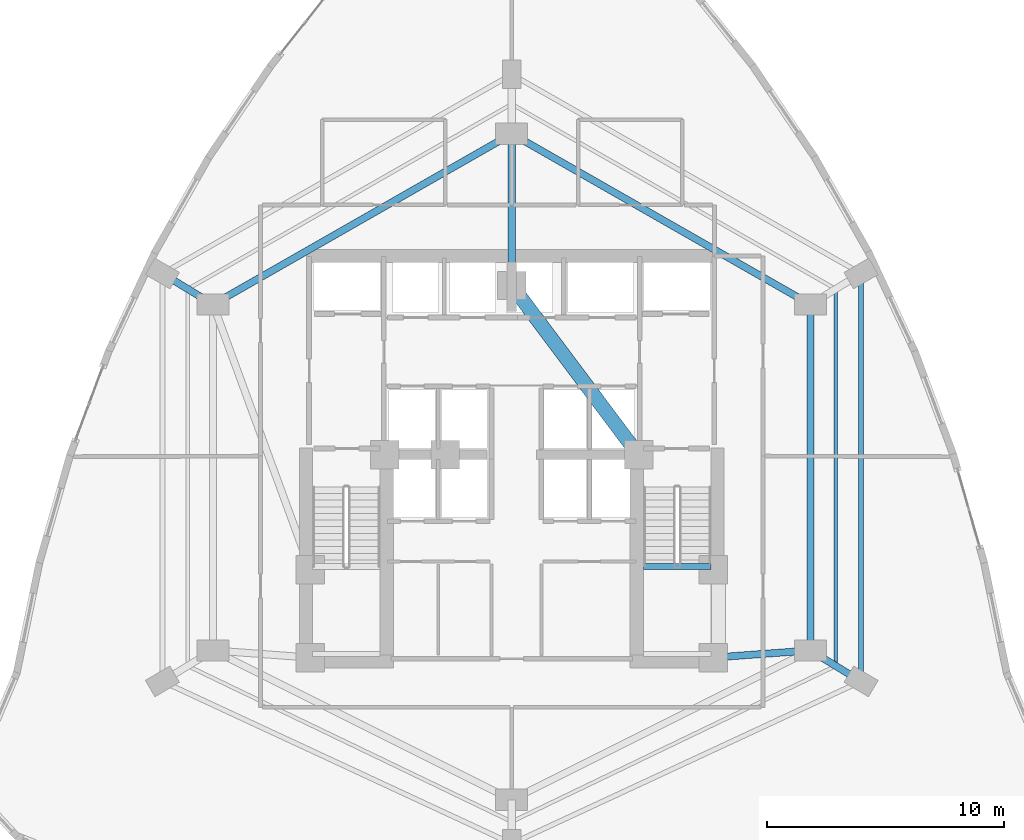
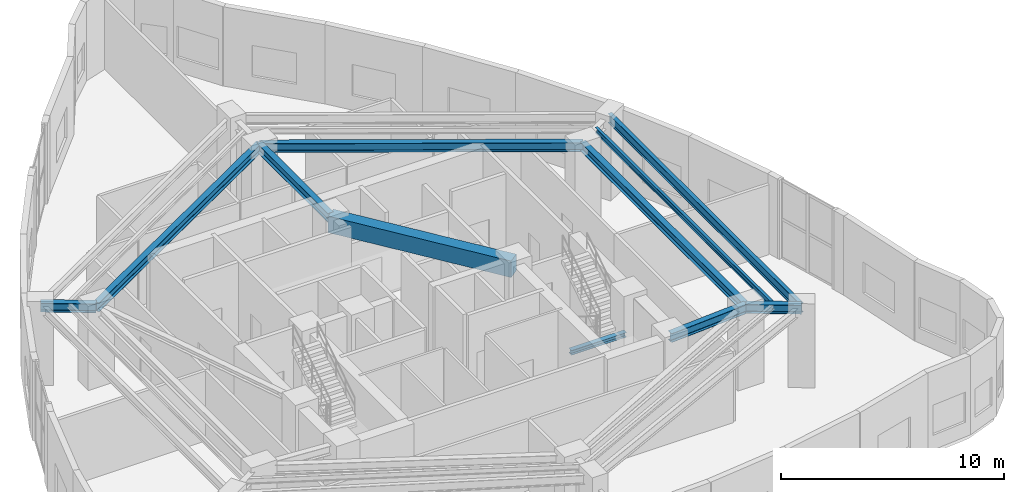
# One storey, part 8 of 17: 11 beams.
"""IFC4 building model written with IfcOpenShell, lengths in metres."""

from ifc_helpers import new_model, si_unit, direction, frame, origin, origin_2d, place, context, subcontext, project, spatial, rectangle, i_section, extrude, material, material_profile, profile_set, type_object, element, save


model = new_model("IFC4")

# Units and contexts
model_context = context("Model", 3, precision=1e-05, world=origin(), true_north=direction((0.0, 1.0)))
body_context = subcontext(model_context, "Body", "Model", "MODEL_VIEW")
ifc_project = project(units=[si_unit("LENGTHUNIT", "METRE"), si_unit("AREAUNIT", "SQUARE_METRE"), si_unit("VOLUMEUNIT", "CUBIC_METRE"), si_unit("PLANEANGLEUNIT", "RADIAN"), si_unit("MASSUNIT", "GRAM", prefix="KILO")], contexts=[model_context])

# Site, building, storey
site_placement = place(None, origin())
site = spatial("IfcSite", under=ifc_project, at=site_placement, CompositionType="ELEMENT")
building_placement = place(site_placement, origin())
building = spatial("IfcBuilding", under=site, at=building_placement, Name="Miruveldt Soraemaru", CompositionType="ELEMENT")
storey_placement = place(building_placement, frame((0.0, 0.0, 95.800048828125)))
storey = spatial("IfcBuildingStorey", under=building, at=storey_placement, Name="L26", CompositionType="ELEMENT", Elevation=95.800048828125)

# Beams
ifc_material_1 = material(Name="Concrete C60/75 (60 MPa)", Category="concrete")
ifc_material_profile_1 = material_profile(ifc_material_1, rectangle(XDim=0.60009765625, YDim=0.89990234375, at=origin_2d()), Name="Concrete C60/75 (60 MPa)", Category="concrete")
ifc_profile_set_1 = profile_set([ifc_material_profile_1], Name="Concrete C60/75 (60 MPa)")
beam_type_1 = type_object("IfcBeamType", Name="BM-RC-600x900", PredefinedType="BEAM", material=ifc_profile_set_1)
beam_1_placement = place(storey_placement, frame((49.35009765625, 44.050048828125, 3.885009765625), z_axis=(-0.599116023999, 0.800662219533, 0.0), x_axis=(-0.800662219533, -0.599116023999, 0.0)))
element("IfcBeam", 1, at=beam_1_placement, inside=storey, type_object=beam_type_1, Name="L26 Core Tie Beam 5", PredefinedType="BEAM", context=body_context, shape_type="SweptSolid", body=[
    extrude(rectangle(XDim=0.60009765625, YDim=0.89990234375, at=origin_2d()), origin(), (0.0, 0.0, 1.0), 8.929931640625),
])
ifc_material_2 = material(Name="Steel SM355 (355 MPa)", Category="steel")
ifc_material_profile_2 = material_profile(ifc_material_2, i_section(OverallWidth=0.14990234375, OverallDepth=0.300048828125, WebThickness=0.006591796875, FlangeThickness=0.009033203125, FilletRadius=0.012939453125, at=origin_2d()), Name="Steel SM355 (355 MPa)", Category="steel")
ifc_profile_set_2 = profile_set([ifc_material_profile_2], Name="Steel SM355 (355 MPa)")
beam_type_2 = type_object("IfcBeamType", Name="BM-ST-H300", PredefinedType="JOIST", material=ifc_profile_set_2)
beam_2_placement = place(storey_placement, frame((57.669921875, 51.052490234375, 4.18505859375), z_axis=(0.0, -1.0, 0.0), x_axis=(1.0, 0.0, 0.0)))
element("IfcBeam", 2, at=beam_2_placement, inside=storey, type_object=beam_type_2, Name="L26 Outer Bay Floor Joist 2", PredefinedType="JOIST", context=body_context, shape_type="SweptSolid", body=[
    extrude(i_section(OverallWidth=0.14990234375, OverallDepth=0.300048828125, WebThickness=0.006591796875, FlangeThickness=0.009033203125, FilletRadius=0.012939453125, at=origin_2d()), origin(), (0.0, 0.0, 1.0), 15.905029296875),
])
ifc_material_profile_3 = material_profile(ifc_material_2, i_section(OverallWidth=0.300048828125, OverallDepth=0.488037109375, WebThickness=0.010986328125, FlangeThickness=0.01806640625, FilletRadius=0.02587890625, at=origin_2d()), Name="Steel SM355 (355 MPa)", Category="steel")
ifc_profile_set_3 = profile_set([ifc_material_profile_3], Name="Steel SM355 (355 MPa)")
beam_type_3 = type_object("IfcBeamType", Name="BM-ST-H488", PredefinedType="BEAM", material=ifc_profile_set_3)
beam_3_placement = place(storey_placement, frame((44.0, 57.60009765625, 4.091064453125), z_axis=(0.868239001029, -0.496146185203, 0.0), x_axis=(0.496146185203, 0.868239001029, 0.0)))
element("IfcBeam", 3, at=beam_3_placement, inside=storey, type_object=beam_type_3, Name="L26 Inner Ring Girder 1", PredefinedType="BEAM", context=body_context, shape_type="SweptSolid", body=[
    extrude(i_section(OverallWidth=0.300048828125, OverallDepth=0.488037109375, WebThickness=0.010986328125, FlangeThickness=0.01806640625, FilletRadius=0.02587890625, at=origin_2d()), origin(), (0.0, 0.0, 1.0), 14.51220703125),
])
beam_4_placement = place(storey_placement, frame((44.0, 51.199951171875, 4.091064453125), z_axis=(0.0, 1.0, 0.0), x_axis=(-1.0, 0.0, 0.0)))
element("IfcBeam", 4, at=beam_4_placement, inside=storey, type_object=beam_type_3, Name="L26 Core-to-Inner Radial Girder 1", PredefinedType="BEAM", context=body_context, shape_type="SweptSolid", body=[
    extrude(i_section(OverallWidth=0.300048828125, OverallDepth=0.488037109375, WebThickness=0.010986328125, FlangeThickness=0.01806640625, FilletRadius=0.02587890625, at=origin_2d()), origin(), (0.0, 0.0, 1.0), 6.400146484375),
])
beam_5_placement = place(storey_placement, frame((56.60009765625, 50.39990234375, 4.091064453125), z_axis=(0.0, -1.0, 0.0), x_axis=(1.0, 0.0, 0.0)))
element("IfcBeam", 5, at=beam_5_placement, inside=storey, type_object=beam_type_3, Name="L26 Inner Ring Girder 2", PredefinedType="BEAM", context=body_context, shape_type="SweptSolid", body=[
    extrude(i_section(OverallWidth=0.300048828125, OverallDepth=0.488037109375, WebThickness=0.010986328125, FlangeThickness=0.01806640625, FilletRadius=0.02587890625, at=origin_2d()), origin(), (0.0, 0.0, 1.0), 14.599853515625),
])
beam_6_placement = place(storey_placement, frame((52.5, 35.5, 4.091064453125), z_axis=(0.997332985605, 0.072985723431, 0.0), x_axis=(-0.072985723431, 0.997332985605, 0.0)))
element("IfcBeam", 6, at=beam_6_placement, inside=storey, type_object=beam_type_3, Name="L26 Core-to-Inner Radial Girder 3", PredefinedType="BEAM", context=body_context, shape_type="SweptSolid", body=[
    extrude(i_section(OverallWidth=0.300048828125, OverallDepth=0.488037109375, WebThickness=0.010986328125, FlangeThickness=0.01806640625, FilletRadius=0.02587890625, at=origin_2d()), origin(), (0.0, 0.0, 1.0), 4.111083984375),
])
beam_7_placement = place(storey_placement, frame((31.39990234375, 50.39990234375, 4.091064453125), z_axis=(0.868239001029, 0.496146185203, 0.0), x_axis=(-0.496146185203, 0.868239001029, 0.0)))
element("IfcBeam", 7, at=beam_7_placement, inside=storey, type_object=beam_type_3, Name="L26 Inner Ring Girder 6", PredefinedType="BEAM", context=body_context, shape_type="SweptSolid", body=[
    extrude(i_section(OverallWidth=0.300048828125, OverallDepth=0.488037109375, WebThickness=0.010986328125, FlangeThickness=0.01806640625, FilletRadius=0.02587890625, at=origin_2d()), origin(), (0.0, 0.0, 1.0), 14.51220703125),
])
beam_8_placement = place(storey_placement, frame((56.60009765625, 35.800048828125, 4.091064453125), z_axis=(0.853775054686, -0.5206420613, 0.0), x_axis=(0.5206420613, 0.853775054686, 0.0)))
element("IfcBeam", 8, at=beam_8_placement, inside=storey, type_object=beam_type_3, Name="L26 Zone-2 Radial Girder 3", PredefinedType="BEAM", context=body_context, shape_type="SweptSolid", body=[
    extrude(i_section(OverallWidth=0.300048828125, OverallDepth=0.488037109375, WebThickness=0.010986328125, FlangeThickness=0.01806640625, FilletRadius=0.02587890625, at=origin_2d()), origin(), (0.0, 0.0, 1.0), 2.50634765625),
])
beam_9_placement = place(storey_placement, frame((31.39990234375, 50.39990234375, 4.091064453125), z_axis=(-0.85373175529, 0.520713059188, 0.0), x_axis=(-0.520713059188, -0.85373175529, 0.0)))
element("IfcBeam", 9, at=beam_9_placement, inside=storey, type_object=beam_type_3, Name="L26 Zone-2 Radial Girder 6", PredefinedType="BEAM", context=body_context, shape_type="SweptSolid", body=[
    extrude(i_section(OverallWidth=0.300048828125, OverallDepth=0.488037109375, WebThickness=0.010986328125, FlangeThickness=0.01806640625, FilletRadius=0.02587890625, at=origin_2d()), origin(), (0.0, 0.0, 1.0), 2.506591796875),
])
ifc_material_profile_4 = material_profile(ifc_material_2, i_section(OverallWidth=0.199951171875, OverallDepth=0.5, WebThickness=0.010009765625, FlangeThickness=0.01611328125, FilletRadius=0.02001953125, at=origin_2d()), Name="Steel SM355 (355 MPa)", Category="steel")
ifc_profile_set_4 = profile_set([ifc_material_profile_4], Name="Steel SM355 (355 MPa)")
beam_type_4 = type_object("IfcBeamType", Name="BM-ST-H500", PredefinedType="SPANDREL", material=ifc_profile_set_4)
beam_10_placement = place(storey_placement, frame((58.739990234375, 51.705078125, 4.0849609375), z_axis=(0.0, -1.0, 0.0), x_axis=(1.0, 0.0, 0.0)))
element("IfcBeam", 10, at=beam_10_placement, inside=storey, type_object=beam_type_4, Name="L26 Zone-2 Spandrel Beam 2", PredefinedType="SPANDREL", context=body_context, shape_type="SweptSolid", body=[
    extrude(i_section(OverallWidth=0.199951171875, OverallDepth=0.5, WebThickness=0.010009765625, FlangeThickness=0.01611328125, FilletRadius=0.02001953125, at=origin_2d()), origin(), (0.0, 0.0, 1.0), 17.2099609375),
])
ifc_material_profile_5 = material_profile(ifc_material_2, i_section(OverallWidth=0.25, OverallDepth=0.25, WebThickness=0.009033203125, FlangeThickness=0.013916015625, FilletRadius=0.01611328125, at=origin_2d()), Name="Steel SM355 (355 MPa)", Category="steel")
ifc_profile_set_5 = profile_set([ifc_material_profile_5], Name="Steel SM355 (355 MPa)")
beam_type_5 = type_object("IfcBeamType", Name="BM-ST-LND250", PredefinedType="BEAM", material=ifc_profile_set_5)
beam_11_placement = place(storey_placement, frame((49.550048828125, 39.340087890625, 1.974853515625), z_axis=(1.0, 0.0, 0.0), x_axis=(0.0, 1.0, 0.0)))
element("IfcBeam", 11, at=beam_11_placement, inside=storey, type_object=beam_type_5, Name="L26 ST2 Landing Support Beam 1A", PredefinedType="BEAM", context=body_context, shape_type="SweptSolid", body=[
    extrude(i_section(OverallWidth=0.25, OverallDepth=0.25, WebThickness=0.009033203125, FlangeThickness=0.013916015625, FilletRadius=0.01611328125, at=origin_2d()), origin(), (0.0, 0.0, 1.0), 2.849853515625),
])

save(model, "model.ifc")
